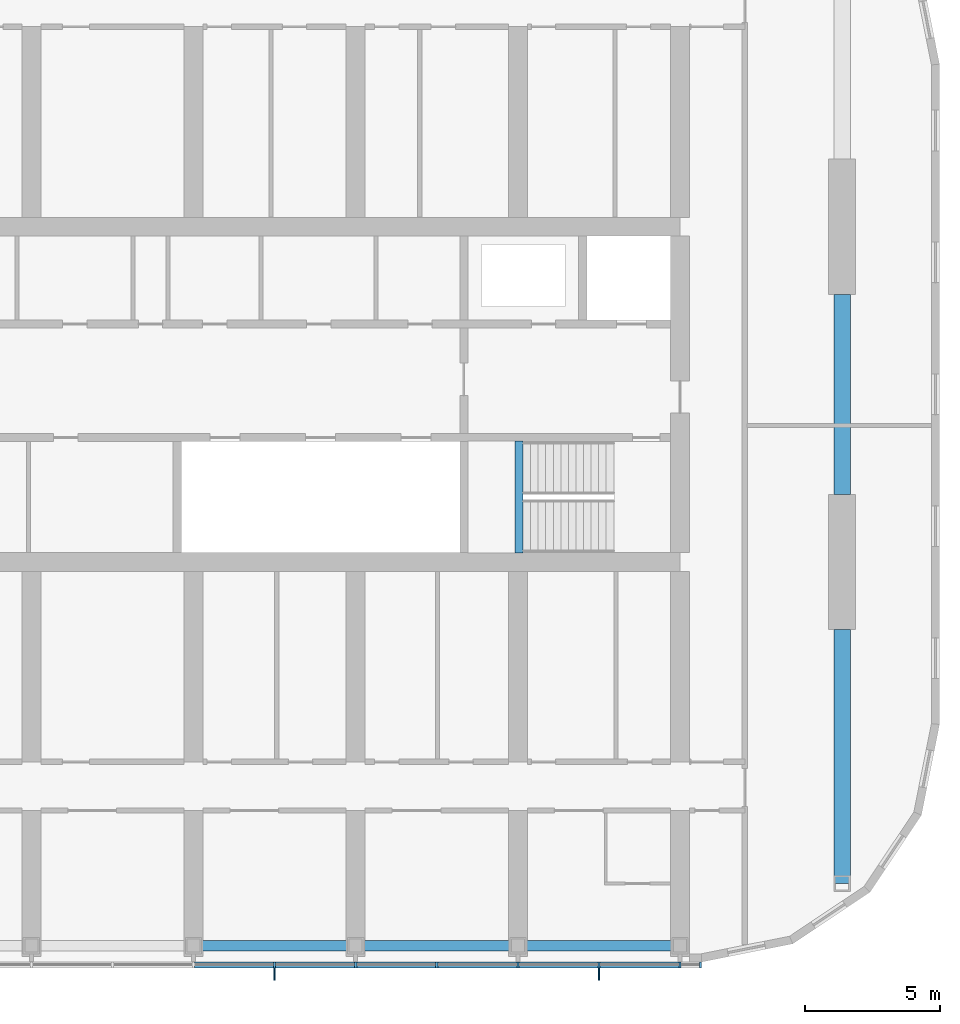
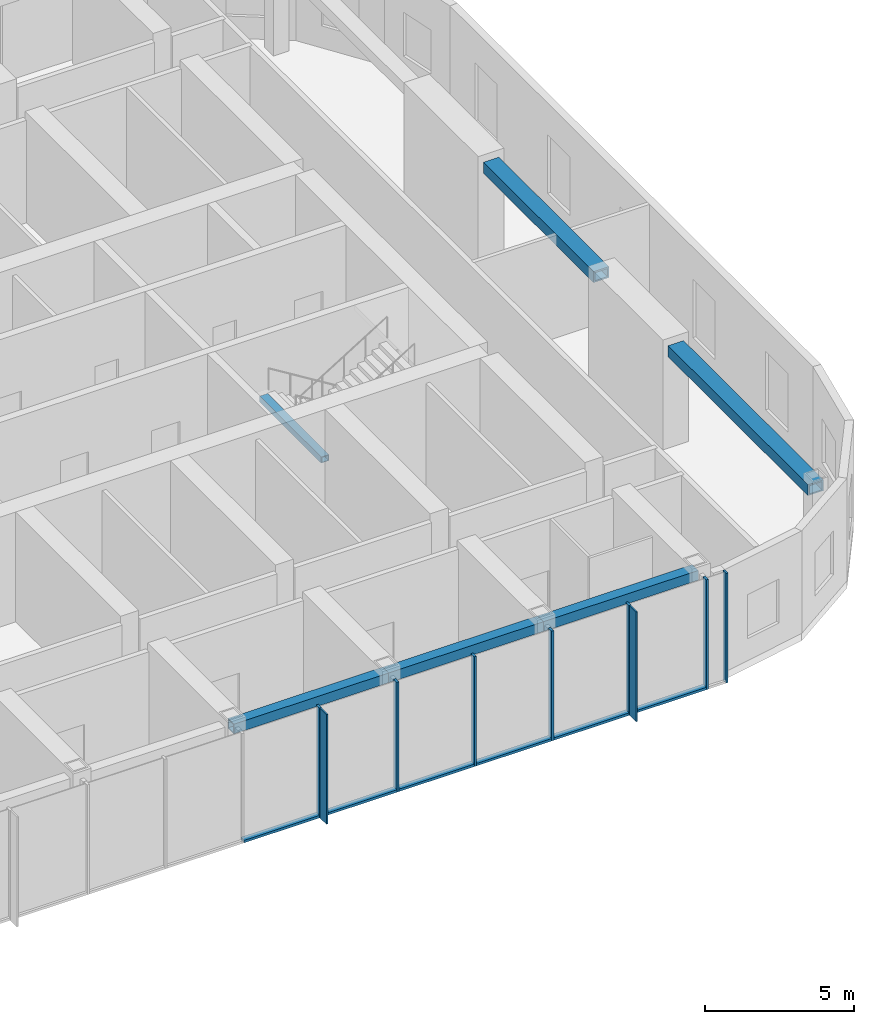
# One storey, part 3 of 21: 15 members, 6 beams, 1 element without a shape of its own.
"""IFC4 building model written with IfcOpenShell, lengths in metres."""

from ifc_helpers import new_model, si_unit, direction, frame, origin, origin_2d, place, context, subcontext, project, spatial, rectangle, hollow_rectangle, extrude, material, material_profile, profile_set, type_object, element, aggregate, save


model = new_model("IFC4")

# Units and contexts
model_context = context("Model", 3, precision=1e-05, world=origin(), true_north=direction((0.0, 1.0)))
body_context = subcontext(model_context, "Body", "Model", "MODEL_VIEW")
ifc_project = project(units=[si_unit("LENGTHUNIT", "METRE"), si_unit("AREAUNIT", "SQUARE_METRE"), si_unit("VOLUMEUNIT", "CUBIC_METRE"), si_unit("PLANEANGLEUNIT", "RADIAN"), si_unit("MASSUNIT", "GRAM", prefix="KILO")], contexts=[model_context])

# Site, building, storey
site_placement = place(None, origin())
site = spatial("IfcSite", under=ifc_project, at=site_placement, CompositionType="ELEMENT")
building_placement = place(site_placement, origin())
building = spatial("IfcBuilding", under=site, at=building_placement, Name="Orbita Commons", CompositionType="ELEMENT")
storey_placement = place(building_placement, frame((0.0, 0.0, 257.800048828125)))
storey = spatial("IfcBuildingStorey", under=building, at=storey_placement, Name="L64", CompositionType="ELEMENT", Elevation=257.800048828125)

# Curtain wall, members
ifc_material_1 = material(Name="Anodised aluminium frame, pale silver", Category="aluminium")
curtain_wall_type = type_object("IfcCurtainWallType", Name="Unitised curtain wall CW-S, full-height", PredefinedType="NOTDEFINED", material=ifc_material_1)
curtain_wall_placement = place(storey_placement, origin())
curtain_wall = element("IfcCurtainWall", 1, at=curtain_wall_placement, inside=storey, type_object=curtain_wall_type, Name="Curtain wall south L64", PredefinedType="NOTDEFINED")
ifc_material_2 = material(Name="Anodised aluminium, pale silver", Category="aluminium")
ifc_material_profile_1 = material_profile(ifc_material_2, rectangle(XDim=0.080078125, YDim=0.219970703125, at=origin_2d()), Name="AL 80x220")
ifc_profile_set_1 = profile_set([ifc_material_profile_1], Name="Anodised aluminium, pale silver")
member_type_1 = type_object("IfcMemberType", Name="Curtain wall mullion 80x220", PredefinedType="MULLION", material=ifc_profile_set_1)
member_1_placement = place(storey_placement, frame((51.0, 10.889892578125, -0.300048828125), z_axis=(0.0, 0.0, 1.0), x_axis=(1.0, 0.0, 0.0)))
member_1 = element("IfcMember", 2, at=member_1_placement, type_object=member_type_1, Name="Mullion 13 CW-L64-S", PredefinedType="MULLION", context=body_context, shape_type="SweptSolid", body=[
    extrude(rectangle(XDim=0.080078125, YDim=0.219970703125, at=origin_2d()), origin(), (0.0, 0.0, 1.0), 4.5),
])
member_2_placement = place(storey_placement, frame((54.0, 10.889892578125, -0.300048828125), z_axis=(0.0, 0.0, 1.0), x_axis=(1.0, 0.0, 0.0)))
member_2 = element("IfcMember", 3, at=member_2_placement, type_object=member_type_1, Name="Mullion 14 CW-L64-S", PredefinedType="MULLION", context=body_context, shape_type="SweptSolid", body=[
    extrude(rectangle(XDim=0.080078125, YDim=0.219970703125, at=origin_2d()), origin(), (0.0, 0.0, 1.0), 4.5),
])
member_3_placement = place(storey_placement, frame((57.0, 10.889892578125, -0.300048828125), z_axis=(0.0, 0.0, 1.0), x_axis=(1.0, 0.0, 0.0)))
member_3 = element("IfcMember", 4, at=member_3_placement, type_object=member_type_1, Name="Mullion 15 CW-L64-S", PredefinedType="MULLION", context=body_context, shape_type="SweptSolid", body=[
    extrude(rectangle(XDim=0.080078125, YDim=0.219970703125, at=origin_2d()), origin(), (0.0, 0.0, 1.0), 4.5),
])
member_4_placement = place(storey_placement, frame((60.0, 10.889892578125, -0.300048828125), z_axis=(0.0, 0.0, 1.0), x_axis=(1.0, 0.0, 0.0)))
member_4 = element("IfcMember", 5, at=member_4_placement, type_object=member_type_1, Name="Mullion 16 CW-L64-S", PredefinedType="MULLION", context=body_context, shape_type="SweptSolid", body=[
    extrude(rectangle(XDim=0.080078125, YDim=0.219970703125, at=origin_2d()), origin(), (0.0, 0.0, 1.0), 4.5),
])
member_5_placement = place(storey_placement, frame((63.0, 10.889892578125, -0.300048828125), z_axis=(0.0, 0.0, 1.0), x_axis=(1.0, 0.0, 0.0)))
member_5 = element("IfcMember", 6, at=member_5_placement, type_object=member_type_1, Name="Mullion 17 CW-L64-S", PredefinedType="MULLION", context=body_context, shape_type="SweptSolid", body=[
    extrude(rectangle(XDim=0.080078125, YDim=0.219970703125, at=origin_2d()), origin(), (0.0, 0.0, 1.0), 4.5),
])
member_6_placement = place(storey_placement, frame((66.0, 10.889892578125, -0.300048828125), z_axis=(0.0, 0.0, 1.0), x_axis=(1.0, 0.0, 0.0)))
member_6 = element("IfcMember", 7, at=member_6_placement, type_object=member_type_1, Name="Mullion 18 CW-L64-S", PredefinedType="MULLION", context=body_context, shape_type="SweptSolid", body=[
    extrude(rectangle(XDim=0.080078125, YDim=0.219970703125, at=origin_2d()), origin(), (0.0, 0.0, 1.0), 4.5),
])
member_7_placement = place(storey_placement, frame((66.760009765625, 10.889892578125, -0.300048828125), z_axis=(0.0, 0.0, 1.0), x_axis=(1.0, 0.0, 0.0)))
member_7 = element("IfcMember", 8, at=member_7_placement, type_object=member_type_1, Name="Mullion 19 CW-L64-S", PredefinedType="MULLION", context=body_context, shape_type="SweptSolid", body=[
    extrude(rectangle(XDim=0.080078125, YDim=0.219970703125, at=origin_2d()), origin(), (0.0, 0.0, 1.0), 4.5),
])
ifc_material_3 = material(Name="Anodised aluminium, pale silver", Category="aluminium")
ifc_material_profile_2 = material_profile(ifc_material_3, rectangle(XDim=0.219970703125, YDim=0.10009765625, at=origin_2d()), Name="AL 220x100")
ifc_profile_set_2 = profile_set([ifc_material_profile_2], Name="Anodised aluminium, pale silver")
member_type_2 = type_object("IfcMemberType", Name="Curtain wall stack transom 220x100", PredefinedType="USERDEFINED", material=ifc_profile_set_2)
member_8_placement = place(storey_placement, frame((48.0400390625, 10.889892578125, -0.25), z_axis=(1.0, 0.0, 0.0), x_axis=(0.0, 1.0, 0.0)))
member_8 = element("IfcMember", 9, at=member_8_placement, type_object=member_type_2, Name="Transom 12.1 CW-L64-S", ObjectType="TRANSOM", PredefinedType="USERDEFINED", context=body_context, shape_type="SweptSolid", body=[
    extrude(rectangle(XDim=0.219970703125, YDim=0.10009765625, at=origin_2d()), origin(), (0.0, 0.0, 1.0), 2.919921875),
])
member_9_placement = place(storey_placement, frame((51.0400390625, 10.889892578125, -0.25), z_axis=(1.0, 0.0, 0.0), x_axis=(0.0, 1.0, 0.0)))
member_9 = element("IfcMember", 10, at=member_9_placement, type_object=member_type_2, Name="Transom 13.1 CW-L64-S", ObjectType="TRANSOM", PredefinedType="USERDEFINED", context=body_context, shape_type="SweptSolid", body=[
    extrude(rectangle(XDim=0.219970703125, YDim=0.10009765625, at=origin_2d()), origin(), (0.0, 0.0, 1.0), 2.919921875),
])
member_10_placement = place(storey_placement, frame((54.0400390625, 10.889892578125, -0.25), z_axis=(1.0, 0.0, 0.0), x_axis=(0.0, 1.0, 0.0)))
member_10 = element("IfcMember", 11, at=member_10_placement, type_object=member_type_2, Name="Transom 14.1 CW-L64-S", ObjectType="TRANSOM", PredefinedType="USERDEFINED", context=body_context, shape_type="SweptSolid", body=[
    extrude(rectangle(XDim=0.219970703125, YDim=0.10009765625, at=origin_2d()), origin(), (0.0, 0.0, 1.0), 2.919921875),
])
member_11_placement = place(storey_placement, frame((57.0400390625, 10.889892578125, -0.25), z_axis=(1.0, 0.0, 0.0), x_axis=(0.0, 1.0, 0.0)))
member_11 = element("IfcMember", 12, at=member_11_placement, type_object=member_type_2, Name="Transom 15.1 CW-L64-S", ObjectType="TRANSOM", PredefinedType="USERDEFINED", context=body_context, shape_type="SweptSolid", body=[
    extrude(rectangle(XDim=0.219970703125, YDim=0.10009765625, at=origin_2d()), origin(), (0.0, 0.0, 1.0), 2.919921875),
])
member_12_placement = place(storey_placement, frame((60.0400390625, 10.889892578125, -0.25), z_axis=(1.0, 0.0, 0.0), x_axis=(0.0, 1.0, 0.0)))
member_12 = element("IfcMember", 13, at=member_12_placement, type_object=member_type_2, Name="Transom 16.1 CW-L64-S", ObjectType="TRANSOM", PredefinedType="USERDEFINED", context=body_context, shape_type="SweptSolid", body=[
    extrude(rectangle(XDim=0.219970703125, YDim=0.10009765625, at=origin_2d()), origin(), (0.0, 0.0, 1.0), 2.919921875),
])
member_13_placement = place(storey_placement, frame((63.0400390625, 10.889892578125, -0.25), z_axis=(1.0, 0.0, 0.0), x_axis=(0.0, 1.0, 0.0)))
member_13 = element("IfcMember", 14, at=member_13_placement, type_object=member_type_2, Name="Transom 17.1 CW-L64-S", ObjectType="TRANSOM", PredefinedType="USERDEFINED", context=body_context, shape_type="SweptSolid", body=[
    extrude(rectangle(XDim=0.219970703125, YDim=0.10009765625, at=origin_2d()), origin(), (0.0, 0.0, 1.0), 2.919921875),
])

# Beams
ifc_material_4 = material(Name="Steel ASTM A572 Gr 50 welded plate", Category="steel")
ifc_material_profile_3 = material_profile(ifc_material_4, hollow_rectangle(XDim=0.300048828125, YDim=0.25, WallThickness=0.02490234375, at=origin_2d()), Name="BOX 250x300x25")
ifc_profile_set_3 = profile_set([ifc_material_profile_3], Name="Steel ASTM A572 Gr 50 welded plate")
beam_type_1 = type_object("IfcBeamType", Name="Stair landing beam steel BOX 250x300x25", PredefinedType="BEAM", material=ifc_profile_set_3)
beam_1_placement = place(storey_placement, frame((60.0400390625, 26.135009765625, 1.925048828125), z_axis=(0.0, 1.0, 0.0), x_axis=(-1.0, 0.0, 0.0)))
element("IfcBeam", 15, at=beam_1_placement, inside=storey, type_object=beam_type_1, Name="Stair S2 landing beam L64 1", PredefinedType="BEAM", context=body_context, shape_type="SweptSolid", body=[
    extrude(hollow_rectangle(XDim=0.300048828125, YDim=0.25, WallThickness=0.02490234375, at=origin_2d()), origin(), (0.0, 0.0, 1.0), 4.1298828125),
])
ifc_material_5 = material(Name="Steel ASTM A572 Gr 50 welded plate", Category="steel")
ifc_material_profile_4 = material_profile(ifc_material_5, hollow_rectangle(XDim=0.60009765625, YDim=0.449951171875, WallThickness=0.06005859375, at=origin_2d()), Name="BOX 450x600x60")
ifc_profile_set_4 = profile_set([ifc_material_profile_4], Name="Steel ASTM A572 Gr 50 welded plate")
beam_type_2 = type_object("IfcBeamType", Name="Steel end frame link BOX 450x600x60", PredefinedType="BEAM", material=ifc_profile_set_4)
beam_2_placement = place(storey_placement, frame((72.0, 13.89990234375, 3.974853515625), z_axis=(0.0, 1.0, 0.0), x_axis=(-1.0, 0.0, 0.0)))
element("IfcBeam", 16, at=beam_2_placement, inside=storey, type_object=beam_type_2, Name="End frame beam 13 B-C L64", PredefinedType="BEAM", context=body_context, shape_type="SweptSolid", body=[
    extrude(hollow_rectangle(XDim=0.60009765625, YDim=0.449951171875, WallThickness=0.06005859375, at=origin_2d()), origin(), (0.0, 0.0, 1.0), 9.400146484375),
])
beam_3_placement = place(storey_placement, frame((72.0, 28.300048828125, 3.974853515625), z_axis=(0.0, 1.0, 0.0), x_axis=(-1.0, 0.0, 0.0)))
element("IfcBeam", 17, at=beam_3_placement, inside=storey, type_object=beam_type_2, Name="End frame beam 13 C-D L64", PredefinedType="BEAM", context=body_context, shape_type="SweptSolid", body=[
    extrude(hollow_rectangle(XDim=0.60009765625, YDim=0.449951171875, WallThickness=0.06005859375, at=origin_2d()), origin(), (0.0, 0.0, 1.0), 7.39990234375),
])
ifc_material_6 = material(Name="Steel ASTM A572 Gr 50 welded plate", Category="steel")
ifc_material_profile_5 = material_profile(ifc_material_6, hollow_rectangle(XDim=0.39990234375, YDim=0.39990234375, WallThickness=0.0400390625, at=origin_2d()), Name="BOX 400x400x40")
ifc_profile_set_5 = profile_set([ifc_material_profile_5], Name="Steel ASTM A572 Gr 50 welded plate")
beam_type_3 = type_object("IfcBeamType", Name="Steel spandrel BOX 400x400x40", PredefinedType="SPANDREL", material=ifc_profile_set_5)
for number, where, z_axis, x_axis, name in (
    (18, (48.0, 11.60009765625, 4.0), (1.0, 0.0, 0.0), (0.0, 1.0, 0.0), "Spandrel beam B 9-10 L64"),
    (19, (54.0, 11.60009765625, 4.0), (1.0, 0.0, 0.0), (0.0, 1.0, 0.0), "Spandrel beam B 10-11 L64"),
    (20, (60.0, 11.60009765625, 4.0), (1.0, 0.0, 0.0), (0.0, 1.0, 0.0), "Spandrel beam B 11-12 L64"),
):
    element("IfcBeam", number, at=place(storey_placement, frame(where, z_axis=z_axis, x_axis=x_axis)), inside=storey, type_object=beam_type_3, Name=name, PredefinedType="SPANDREL", context=body_context, shape_type="SweptSolid", body=[
        extrude(hollow_rectangle(XDim=0.39990234375, YDim=0.39990234375, WallThickness=0.0400390625, at=origin_2d()), origin(), (0.0, 0.0, 1.0), 6.0),
    ])

# Member
ifc_material_7 = material(Name="Anodised aluminium, pale silver", Category="aluminium")
ifc_material_profile_6 = material_profile(ifc_material_7, rectangle(XDim=0.06005859375, YDim=0.449951171875, at=origin_2d()), Name="FIN 60x450")
ifc_profile_set_6 = profile_set([ifc_material_profile_6], Name="Anodised aluminium, pale silver")
member_type_3 = type_object("IfcMemberType", Name="Vertical fin 60x450 pale aluminium", PredefinedType="USERDEFINED", material=ifc_profile_set_6)
member_14_placement = place(storey_placement, frame((51.0, 10.554931640625, -0.300048828125), z_axis=(0.0, 0.0, 1.0), x_axis=(1.0, 0.0, 0.0)))
member_14 = element("IfcMember", 21, at=member_14_placement, type_object=member_type_3, Name="Fin 13 CW-L64-S", ObjectType="FIN", PredefinedType="USERDEFINED", context=body_context, shape_type="SweptSolid", body=[
    extrude(rectangle(XDim=0.06005859375, YDim=0.449951171875, at=origin_2d()), origin(), (0.0, 0.0, 1.0), 4.5),
])

member_15_placement = place(storey_placement, frame((63.0, 10.554931640625, -0.300048828125), z_axis=(0.0, 0.0, 1.0), x_axis=(1.0, 0.0, 0.0)))
member_15 = element("IfcMember", 22, at=member_15_placement, type_object=member_type_3, Name="Fin 17 CW-L64-S", ObjectType="FIN", PredefinedType="USERDEFINED", context=body_context, shape_type="SweptSolid", body=[
    extrude(rectangle(XDim=0.06005859375, YDim=0.449951171875, at=origin_2d()), origin(), (0.0, 0.0, 1.0), 4.5),
])

aggregate(curtain_wall, [member_1, member_14, member_2, member_3, member_4, member_5, member_15, member_6, member_7, member_8, member_9, member_10, member_11, member_12, member_13])

save(model, "model.ifc")
